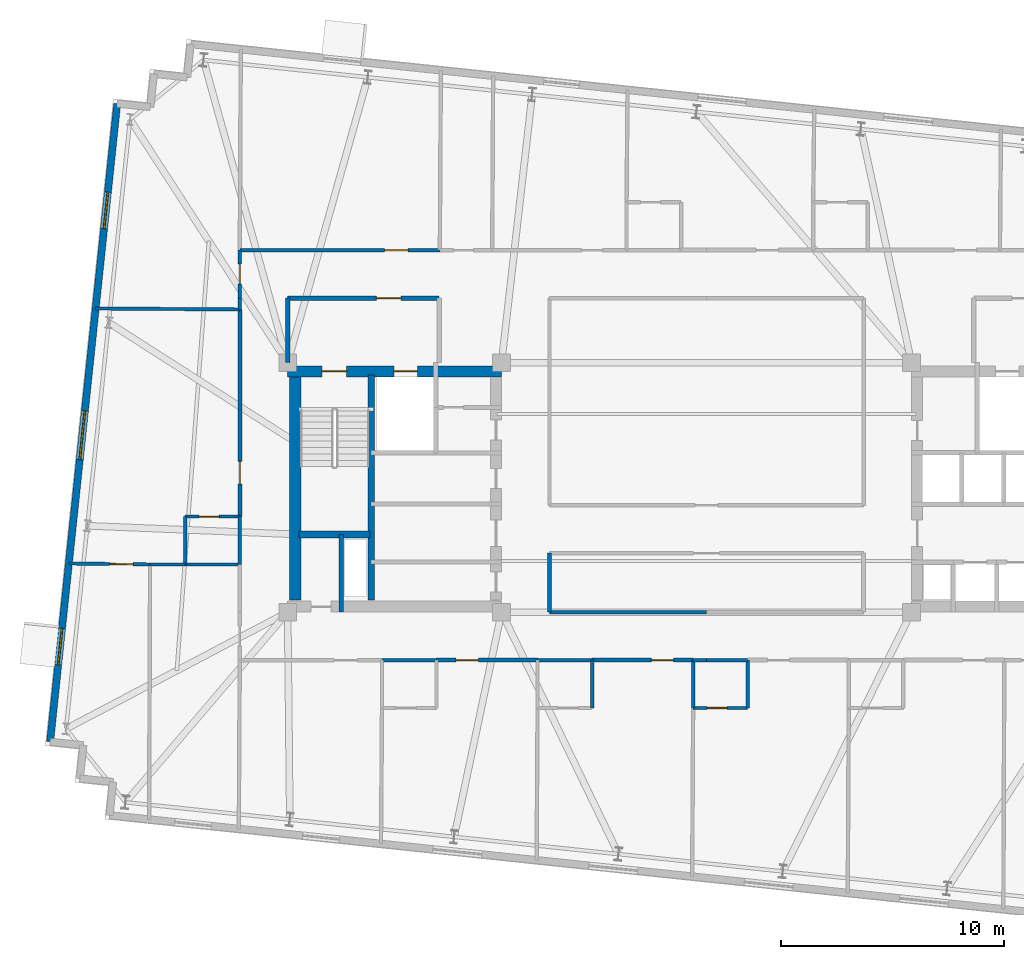
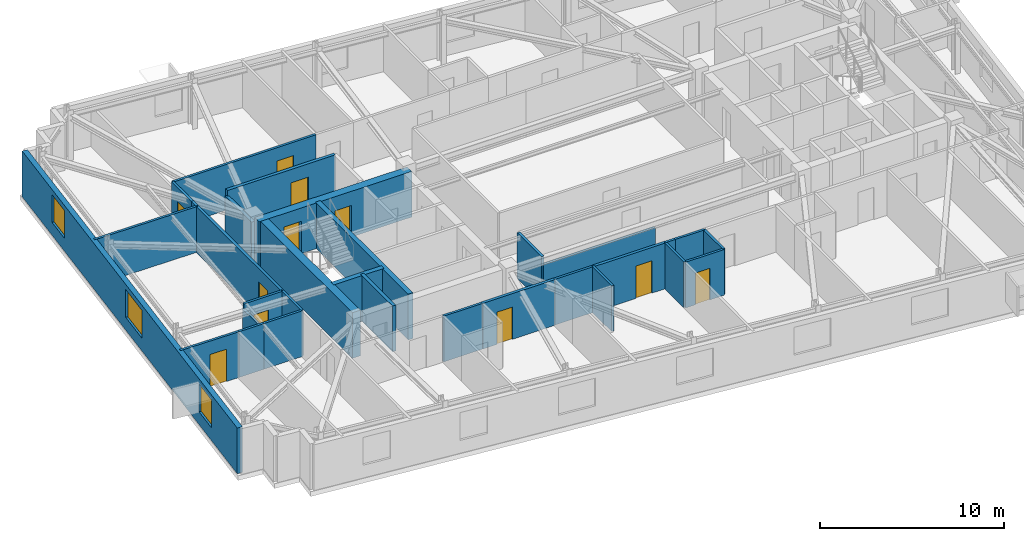
# One storey, part 6 of 11: 31 walls, 11 doors, 3 windows, 14 openings.
"""IFC4 building model written with IfcOpenShell, lengths in metres."""

from ifc_helpers import new_model, si_unit, direction, frame, frame_2d, origin, place, context, subcontext, project, spatial, rectangle, extrude, material, layer, layer_set, type_object, element, fill, save


model = new_model("IFC4")

# Units and contexts
model_context = context("Model", 3, precision=1e-05, world=origin(), true_north=direction((0.0, 1.0)))
body_context = subcontext(model_context, "Body", "Model", "MODEL_VIEW")
ifc_project = project(units=[si_unit("LENGTHUNIT", "METRE"), si_unit("AREAUNIT", "SQUARE_METRE"), si_unit("VOLUMEUNIT", "CUBIC_METRE"), si_unit("PLANEANGLEUNIT", "RADIAN"), si_unit("MASSUNIT", "GRAM", prefix="KILO")], contexts=[model_context])

# Site, building, storey
site_placement = place(None, origin())
site = spatial("IfcSite", under=ifc_project, at=site_placement, CompositionType="ELEMENT")
building_placement = place(site_placement, origin())
building = spatial("IfcBuilding", under=site, at=building_placement, Name="Qobustan Lattice House", CompositionType="ELEMENT")
storey_placement = place(building_placement, frame((0.0, 0.0, 209.800048828125)))
storey = spatial("IfcBuildingStorey", under=building, at=storey_placement, Name="L59", CompositionType="ELEMENT", Elevation=209.800048828125)

# Wall, openings, doors
ifc_material_1 = material(Name="Concrete C50/60", Category="concrete")
ifc_layer_1 = layer(ifc_material_1, 0.5)
ifc_layer_set_1 = layer_set([ifc_layer_1], Name="Concrete C50/60")
wall_type_1 = type_object("IfcWallType", Name="WAL-CORE-500", PredefinedType="SHEAR", material=ifc_layer_set_1)
wall_1_placement = place(storey_placement, frame((-18.800048828125, 5.2099609375, 0.0), z_axis=(0.0, 0.0, 1.0), x_axis=(1.0, 0.0, 0.0)))
wall_1 = element("IfcWall", 1, at=wall_1_placement, inside=storey, type_object=wall_type_1, Name="L59 split-core shear wall CW-N", PredefinedType="SHEAR", context=body_context, shape_type="SweptSolid", body=[
    extrude(rectangle(XDim=9.60009765625, YDim=0.5, at=frame_2d((4.800048828125, 0.0))), origin(), (0.0, 0.0, 1.0), 3.0400390625),
])
opening_1_placement = place(wall_1_placement, frame((1.550048828125, 0.0, 0.0)))
opening_1 = element("IfcOpeningElement", 2, at=opening_1_placement, cuts=wall_1, Name="Opening SD-01", PredefinedType="OPENING", context=body_context, shape_type="SweptSolid", body=[
    extrude(rectangle(XDim=1.10009765625, YDim=2.14990234375, at=frame_2d((0.550048828125, 1.074951171875))), frame((0.0, 0.260009765625, 0.0), z_axis=(0.0, -1.0, 0.0), x_axis=(1.0, 0.0, 0.0)), (0.0, 0.0, 1.0), 0.52001953125),
])
opening_2_placement = place(wall_1_placement, frame((4.77490234375, 0.0, 0.0)))
opening_2 = element("IfcOpeningElement", 3, at=opening_2_placement, cuts=wall_1, Name="Opening LD-01", PredefinedType="OPENING", context=body_context, shape_type="SweptSolid", body=[
    extrude(rectangle(XDim=1.050048828125, YDim=2.10009765625, at=frame_2d((0.52490234375, 1.050048828125))), frame((0.0, 0.260009765625, 0.0), z_axis=(0.0, -1.0, 0.0), x_axis=(1.0, 0.0, 0.0)), (0.0, 0.0, 1.0), 0.52001953125),
])
ifc_material_2 = material(Name="Persian walnut timber and steel frame door", Category="steel")
door_type_1 = type_object("IfcDoorType", Name="DOR-LIFT-LD-1050x2100", OperationType="NOTDEFINED", PredefinedType="DOOR", material=ifc_material_2)
door_1_placement = place(opening_2_placement, origin())
door_1 = element("IfcDoor", 4, at=door_1_placement, inside=storey, type_object=door_type_1, Name="L59 firefighting lift FF-W landing door", OperationType="DOUBLE_DOOR_SLIDING", OverallHeight=2.10009765625, OverallWidth=1.050048828125, PredefinedType="DOOR", context=body_context, shape_type="SweptSolid", body=[
    extrude(rectangle(XDim=1.050048828125, YDim=2.10009765625, at=frame_2d((0.52490234375, 1.050048828125))), frame((0.0, 0.02490234375, 0.0), z_axis=(0.0, -1.0, 0.0), x_axis=(1.0, 0.0, 0.0)), (0.0, 0.0, 1.0), 0.050048828125),
])
fill(opening_2, door_1)
ifc_material_3 = material(Name="Persian walnut timber and steel frame door", Category="steel")
door_type_2 = type_object("IfcDoorType", Name="DOR-STAIR-FD-1100x2150", OperationType="NOTDEFINED", PredefinedType="DOOR", material=ifc_material_3)
door_2_placement = place(opening_1_placement, origin())
door_2 = element("IfcDoor", 5, at=door_2_placement, inside=storey, type_object=door_type_2, Name="L59 exit stair ST-W1 fire door", OperationType="SINGLE_SWING_RIGHT", OverallHeight=2.14990234375, OverallWidth=1.10009765625, PredefinedType="DOOR", context=body_context, shape_type="SweptSolid", body=[
    extrude(rectangle(XDim=1.10009765625, YDim=2.14990234375, at=frame_2d((0.550048828125, 1.074951171875))), frame((0.0, 0.02490234375, 0.0), z_axis=(0.0, -1.0, 0.0), x_axis=(1.0, 0.0, 0.0)), (0.0, 0.0, 1.0), 0.050048828125),
])
fill(opening_1, door_2)

# Walls
wall_2_placement = place(storey_placement, frame((-18.4599609375, -5.050048828125, 0.0), z_axis=(0.0, 0.0, 1.0), x_axis=(0.0, 1.0, 0.0)))
element("IfcWall", 6, at=wall_2_placement, inside=storey, type_object=wall_type_1, Name="L59 split-core shear wall CW-W", PredefinedType="SHEAR", context=body_context, shape_type="SweptSolid", body=[
    extrude(rectangle(XDim=10.10009765625, YDim=0.5, at=frame_2d((5.050048828125, 0.0))), origin(), (0.0, 0.0, 1.0), 3.0400390625),
])
ifc_material_4 = material(Name="Concrete C50/60", Category="concrete")
ifc_layer_2 = layer(ifc_material_4, 0.280029296875)
ifc_layer_set_2 = layer_set([ifc_layer_2], Name="Concrete C50/60")
wall_type_2 = type_object("IfcWallType", Name="WAL-CORE-SPINE-280", PredefinedType="SHEAR", material=ifc_layer_set_2)
wall_3_placement = place(storey_placement, frame((-15.050048828125, -5.050048828125, 0.0), z_axis=(0.0, 0.0, 1.0), x_axis=(0.0, 1.0, 0.0)))
element("IfcWall", 7, at=wall_3_placement, inside=storey, type_object=wall_type_2, Name="L59 split-core shear wall CW-M", PredefinedType="SHEAR", context=body_context, shape_type="SweptSolid", body=[
    extrude(rectangle(XDim=10.10009765625, YDim=0.300048828125, at=frame_2d((5.050048828125, 0.0))), origin(), (0.0, 0.0, 1.0), 3.0400390625),
])
wall_4_placement = place(storey_placement, frame((-18.280029296875, -2.110107421875, 0.0), z_axis=(0.0, 0.0, 1.0), x_axis=(1.0, 0.0, 0.0)))
element("IfcWall", 8, at=wall_4_placement, inside=storey, type_object=wall_type_2, Name="L59 split-core shear wall CW-ST", PredefinedType="SHEAR", context=body_context, shape_type="SweptSolid", body=[
    extrude(rectangle(XDim=3.179931640625, YDim=0.300048828125, at=frame_2d((1.58984375, 0.0))), origin(), (0.0, 0.0, 1.0), 3.0400390625),
])

# Wall, openings, windows
ifc_material_5 = material(Name="Precast concrete C40/50", Category="concrete")
ifc_layer_3 = layer(ifc_material_5, 0.320068359375)
ifc_layer_set_3 = layer_set([ifc_layer_3], Name="Precast concrete C40/50")
wall_type_3 = type_object("IfcWallType", Name="WAL-EXT-STONE-320", PredefinedType="SOLIDWALL", material=ifc_layer_set_3)
wall_5_placement = place(storey_placement, frame((-29.46337890625, -11.413818359375, 0.0), z_axis=(0.0, 0.0, 1.0), x_axis=(0.104530779244, 0.994521651947, 0.0)))
wall_5 = element("IfcWall", 9, at=wall_5_placement, inside=storey, type_object=wall_type_3, Name="L59 exterior limestone-clad wall 5", PredefinedType="SOLIDWALL", context=body_context, shape_type="SweptSolid", body=[
    extrude(rectangle(XDim=28.800048828125, YDim=0.320068359375, at=frame_2d((14.39990234375, 0.0))), origin(), (0.0, 0.0, 1.0), 3.0400390625),
])
opening_3_placement = place(wall_5_placement, frame((3.466796875, 0.0, 0.85009765625)))
opening_3 = element("IfcOpeningElement", 10, at=opening_3_placement, cuts=wall_5, Name="Opening WN-09", PredefinedType="OPENING", context=body_context, shape_type="SweptSolid", body=[
    extrude(rectangle(XDim=1.64990234375, YDim=1.85009765625, at=frame_2d((0.824951171875, 0.925048828125))), frame((0.0, 0.169921875, 0.0), z_axis=(0.0, -1.0, 0.0), x_axis=(1.0, 0.0, 0.0)), (0.0, 0.0, 1.0), 0.340087890625),
])
opening_4_placement = place(wall_5_placement, frame((12.73828125, 0.0, 0.85009765625)))
opening_4 = element("IfcOpeningElement", 11, at=opening_4_placement, cuts=wall_5, Name="Opening WN-03", PredefinedType="OPENING", context=body_context, shape_type="SweptSolid", body=[
    extrude(rectangle(XDim=2.199951171875, YDim=1.85009765625, at=frame_2d((1.10009765625, 0.925048828125))), frame((0.0, 0.169921875, 0.0), z_axis=(0.0, -1.0, 0.0), x_axis=(1.0, 0.0, 0.0)), (0.0, 0.0, 1.0), 0.340087890625),
])
opening_5_placement = place(wall_5_placement, frame((23.16162109375, 0.0, 0.85009765625)))
opening_5 = element("IfcOpeningElement", 12, at=opening_5_placement, cuts=wall_5, Name="Opening WN-09", PredefinedType="OPENING", context=body_context, shape_type="SweptSolid", body=[
    extrude(rectangle(XDim=1.64990234375, YDim=1.85009765625, at=frame_2d((0.824951171875, 0.925048828125))), frame((0.0, 0.169921875, 0.0), z_axis=(0.0, -1.0, 0.0), x_axis=(1.0, 0.0, 0.0)), (0.0, 0.0, 1.0), 0.340087890625),
])
ifc_material_6 = material(Name="Double-glazed low-E aluminium window", Category="aluminium")
window_type_1 = type_object("IfcWindowType", Name="WIN-STU-1650x1850", PartitioningType="SINGLE_PANEL", PredefinedType="WINDOW", material=ifc_material_6)
window_1_placement = place(opening_3_placement, origin())
window_1 = element("IfcWindow", 13, at=window_1_placement, inside=storey, type_object=window_type_1, Name="L59 Focus study room W1A window", OverallHeight=1.85009765625, OverallWidth=1.64990234375, PartitioningType="SINGLE_PANEL", PredefinedType="WINDOW", context=body_context, shape_type="SweptSolid", body=[
    extrude(rectangle(XDim=1.64990234375, YDim=1.85009765625, at=frame_2d((0.824951171875, 0.925048828125))), frame((0.0, 0.030029296875, 0.0), z_axis=(0.0, -1.0, 0.0), x_axis=(1.0, 0.0, 0.0)), (0.0, 0.0, 1.0), 0.06005859375),
])
fill(opening_3, window_1)
window_2_placement = place(opening_5_placement, origin())
window_2 = element("IfcWindow", 14, at=window_2_placement, inside=storey, type_object=window_type_1, Name="L59 Focus study room W3 window", OverallHeight=1.85009765625, OverallWidth=1.64990234375, PartitioningType="SINGLE_PANEL", PredefinedType="WINDOW", context=body_context, shape_type="SweptSolid", body=[
    extrude(rectangle(XDim=1.64990234375, YDim=1.85009765625, at=frame_2d((0.824951171875, 0.925048828125))), frame((0.0, 0.030029296875, 0.0), z_axis=(0.0, -1.0, 0.0), x_axis=(1.0, 0.0, 0.0)), (0.0, 0.0, 1.0), 0.06005859375),
])
fill(opening_5, window_2)
ifc_material_7 = material(Name="Double-glazed low-E aluminium window", Category="aluminium")
window_type_2 = type_object("IfcWindowType", Name="WIN-WIDE-2200x1850", PartitioningType="SINGLE_PANEL", PredefinedType="WINDOW", material=ifc_material_7)
window_3_placement = place(opening_4_placement, origin())
window_3 = element("IfcWindow", 15, at=window_3_placement, inside=storey, type_object=window_type_2, Name="L59 Kitchenette and studio apartment L59-W2 window", OverallHeight=1.85009765625, OverallWidth=2.199951171875, PartitioningType="SINGLE_PANEL", PredefinedType="WINDOW", context=body_context, shape_type="SweptSolid", body=[
    extrude(rectangle(XDim=2.199951171875, YDim=1.85009765625, at=frame_2d((1.10009765625, 0.925048828125))), frame((0.0, 0.030029296875, 0.0), z_axis=(0.0, -1.0, 0.0), x_axis=(1.0, 0.0, 0.0)), (0.0, 0.0, 1.0), 0.06005859375),
])
fill(opening_4, window_3)

# Wall, opening, door
ifc_material_8 = material(Name="Gypsum fireboard acoustic partition", Category="gypsum")
ifc_layer_4 = layer(ifc_material_8, 0.179931640625)
ifc_layer_set_4 = layer_set([ifc_layer_4], Name="Gypsum fireboard acoustic partition")
wall_type_4 = type_object("IfcWallType", Name="WAL-FIRE-180", PredefinedType="PARTITIONING", material=ifc_layer_set_4)
wall_6_placement = place(storey_placement, frame((-7.5830078125, -7.75, 0.0), z_axis=(0.0, 0.0, 1.0), x_axis=(-1.0, 0.0, 0.0)))
wall_6 = element("IfcWall", 16, at=wall_6_placement, inside=storey, type_object=wall_type_4, Name="L59 interior partition 47", PredefinedType="PARTITIONING", context=body_context, shape_type="SweptSolid", body=[
    extrude(rectangle(XDim=4.533935546875, YDim=0.179931640625, at=frame_2d((2.26708984375, 0.0))), origin(), (0.0, 0.0, 1.0), 3.0400390625),
])
opening_6_placement = place(wall_6_placement, frame((2.6572265625, 0.0, 0.0)))
opening_6 = element("IfcOpeningElement", 17, at=opening_6_placement, cuts=wall_6, Name="Opening FD-02", PredefinedType="OPENING", context=body_context, shape_type="SweptSolid", body=[
    extrude(rectangle(XDim=1.0, YDim=2.14990234375, at=frame_2d((0.5, 1.074951171875))), frame((0.0, 0.099853515625, 0.0), z_axis=(0.0, -1.0, 0.0), x_axis=(1.0, 0.0, 0.0)), (0.0, 0.0, 1.0), 0.199951171875),
])
ifc_material_9 = material(Name="Persian walnut timber and steel frame door", Category="steel")
door_type_3 = type_object("IfcDoorType", Name="DOR-UNIT-FD-1000x2150", OperationType="NOTDEFINED", PredefinedType="DOOR", material=ifc_material_9)
door_3_placement = place(opening_6_placement, origin())
door_3 = element("IfcDoor", 18, at=door_3_placement, inside=storey, type_object=door_type_3, Name="L59 South-west floor corridor to Kitchenette and studio apartment L59-S2 door", OperationType="SINGLE_SWING_RIGHT", OverallHeight=2.14990234375, OverallWidth=1.0, PredefinedType="DOOR", context=body_context, shape_type="SweptSolid", body=[
    extrude(rectangle(XDim=1.0, YDim=2.14990234375, at=frame_2d((0.5, 1.074951171875))), frame((0.0, 0.02490234375, 0.0), z_axis=(0.0, -1.0, 0.0), x_axis=(1.0, 0.0, 0.0)), (0.0, 0.0, 1.0), 0.050048828125),
])
fill(opening_6, door_3)

wall_7_placement = place(storey_placement, frame((-0.60009765625, -7.75, 0.0), z_axis=(0.0, 0.0, 1.0), x_axis=(-1.0, 0.0, 0.0)))
wall_7 = element("IfcWall", 19, at=wall_7_placement, inside=storey, type_object=wall_type_4, Name="L59 interior partition 49", PredefinedType="PARTITIONING", context=body_context, shape_type="SweptSolid", body=[
    extrude(rectangle(XDim=4.532958984375, YDim=0.179931640625, at=frame_2d((2.2666015625, 0.0))), origin(), (0.0, 0.0, 1.0), 3.0400390625),
])
opening_7_placement = place(wall_7_placement, frame((0.876708984375, 0.0, 0.0)))
opening_7 = element("IfcOpeningElement", 20, at=opening_7_placement, cuts=wall_7, Name="Opening FD-02", PredefinedType="OPENING", context=body_context, shape_type="SweptSolid", body=[
    extrude(rectangle(XDim=1.0, YDim=2.14990234375, at=frame_2d((0.5, 1.074951171875))), frame((0.0, 0.099853515625, 0.0), z_axis=(0.0, -1.0, 0.0), x_axis=(1.0, 0.0, 0.0)), (0.0, 0.0, 1.0), 0.199951171875),
])
door_4_placement = place(opening_7_placement, origin())
door_4 = element("IfcDoor", 21, at=door_4_placement, inside=storey, type_object=door_type_3, Name="L59 South-west floor corridor to Kitchenette and studio apartment L59-S3 door", OperationType="SINGLE_SWING_LEFT", OverallHeight=2.14990234375, OverallWidth=1.0, PredefinedType="DOOR", context=body_context, shape_type="SweptSolid", body=[
    extrude(rectangle(XDim=1.0, YDim=2.14990234375, at=frame_2d((0.5, 1.074951171875))), frame((0.0, 0.02490234375, 0.0), z_axis=(0.0, -1.0, 0.0), x_axis=(1.0, 0.0, 0.0)), (0.0, 0.0, 1.0), 0.050048828125),
])
fill(opening_7, door_4)

wall_8_placement = place(storey_placement, frame((-20.949951171875, -1.305908203125, 0.0), z_axis=(0.0, 0.0, 1.0), x_axis=(0.0, 1.0, 0.0)))
wall_8 = element("IfcWall", 22, at=wall_8_placement, inside=storey, type_object=wall_type_4, Name="L59 interior partition 62", PredefinedType="PARTITIONING", context=body_context, shape_type="SweptSolid", body=[
    extrude(rectangle(XDim=9.2958984375, YDim=0.179931640625, at=frame_2d((4.64794921875, 0.0))), origin(), (0.0, 0.0, 1.0), 3.0400390625),
])
opening_8_placement = place(wall_8_placement, frame((1.471923828125, 0.0, 0.0)))
opening_8 = element("IfcOpeningElement", 23, at=opening_8_placement, cuts=wall_8, Name="Opening FD-02", PredefinedType="OPENING", context=body_context, shape_type="SweptSolid", body=[
    extrude(rectangle(XDim=1.0, YDim=2.14990234375, at=frame_2d((0.5, 1.074951171875))), frame((0.0, 0.099853515625, 0.0), z_axis=(0.0, -1.0, 0.0), x_axis=(1.0, 0.0, 0.0)), (0.0, 0.0, 1.0), 0.199951171875),
])
door_5_placement = place(opening_8_placement, origin())
door_5 = element("IfcDoor", 24, at=door_5_placement, inside=storey, type_object=door_type_3, Name="L59 West wing spine gallery to Kitchenette and studio apartment L59-W2 door", OperationType="SINGLE_SWING_LEFT", OverallHeight=2.14990234375, OverallWidth=1.0, PredefinedType="DOOR", context=body_context, shape_type="SweptSolid", body=[
    extrude(rectangle(XDim=1.0, YDim=2.14990234375, at=frame_2d((0.5, 1.074951171875))), frame((0.0, 0.02490234375, 0.0), z_axis=(0.0, -1.0, 0.0), x_axis=(1.0, 0.0, 0.0)), (0.0, 0.0, 1.0), 0.050048828125),
])
fill(opening_8, door_5)

ifc_material_10 = material(Name="Acoustic twin-stud gypsum partition", Category="gypsum")
ifc_layer_5 = layer(ifc_material_10, 0.14990234375)
ifc_layer_set_5 = layer_set([ifc_layer_5], Name="Acoustic twin-stud gypsum partition")
wall_type_5 = type_object("IfcWallType", Name="WAL-PART-150", PredefinedType="PARTITIONING", material=ifc_layer_set_5)
wall_9_placement = place(storey_placement, frame((-20.949951171875, 8.5, 0.0), z_axis=(0.0, 0.0, 1.0), x_axis=(0.0, 1.0, 0.0)))
wall_9 = element("IfcWall", 25, at=wall_9_placement, inside=storey, type_object=wall_type_5, Name="L59 interior partition 32", PredefinedType="PARTITIONING", context=body_context, shape_type="SweptSolid", body=[
    extrude(rectangle(XDim=2.14990234375, YDim=0.14990234375, at=frame_2d((1.074951171875, 0.0))), origin(), (0.0, 0.0, 1.0), 3.0400390625),
])
opening_9_placement = place(wall_9_placement, frame((0.625, 0.0, 0.0)))
opening_9 = element("IfcOpeningElement", 26, at=opening_9_placement, cuts=wall_9, Name="Opening WD-01", PredefinedType="OPENING", context=body_context, shape_type="SweptSolid", body=[
    extrude(rectangle(XDim=0.89990234375, YDim=2.10009765625, at=frame_2d((0.449951171875, 1.050048828125))), frame((0.0, 0.0849609375, 0.0), z_axis=(0.0, -1.0, 0.0), x_axis=(1.0, 0.0, 0.0)), (0.0, 0.0, 1.0), 0.169921875),
])
ifc_material_11 = material(Name="Persian walnut timber and steel frame door", Category="steel")
door_type_4 = type_object("IfcDoorType", Name="DOR-WET-900x2100", OperationType="NOTDEFINED", PredefinedType="DOOR", material=ifc_material_11)
door_6_placement = place(opening_9_placement, origin())
door_6 = element("IfcDoor", 27, at=door_6_placement, inside=storey, type_object=door_type_4, Name="L59 North-west floor corridor to Focus study room W3 door", OperationType="SINGLE_SWING_LEFT", OverallHeight=2.10009765625, OverallWidth=0.89990234375, PredefinedType="DOOR", context=body_context, shape_type="SweptSolid", body=[
    extrude(rectangle(XDim=0.89990234375, YDim=2.10009765625, at=frame_2d((0.449951171875, 1.050048828125))), frame((0.0, 0.02490234375, 0.0), z_axis=(0.0, -1.0, 0.0), x_axis=(1.0, 0.0, 0.0)), (0.0, 0.0, 1.0), 0.050048828125),
])
fill(opening_9, door_6)

wall_10_placement = place(storey_placement, frame((-20.949951171875, 10.64990234375, 0.0), z_axis=(0.0, 0.0, 1.0), x_axis=(1.0, 0.0, 0.0)))
wall_10 = element("IfcWall", 28, at=wall_10_placement, inside=storey, type_object=wall_type_5, Name="L59 interior partition 33", PredefinedType="PARTITIONING", context=body_context, shape_type="SweptSolid", body=[
    extrude(rectangle(XDim=8.97998046875, YDim=0.14990234375, at=frame_2d((4.489990234375, 0.0))), origin(), (0.0, 0.0, 1.0), 3.0400390625),
])
opening_10_placement = place(wall_10_placement, frame((6.503662109375, 0.0, 0.0)))
opening_10 = element("IfcOpeningElement", 29, at=opening_10_placement, cuts=wall_10, Name="Opening ID-02", PredefinedType="OPENING", context=body_context, shape_type="SweptSolid", body=[
    extrude(rectangle(XDim=1.050048828125, YDim=2.14990234375, at=frame_2d((0.52490234375, 1.074951171875))), frame((0.0, 0.0849609375, 0.0), z_axis=(0.0, -1.0, 0.0), x_axis=(1.0, 0.0, 0.0)), (0.0, 0.0, 1.0), 0.169921875),
])
ifc_material_12 = material(Name="Persian walnut timber and steel frame door", Category="steel")
door_type_5 = type_object("IfcDoorType", Name="DOR-STUDY-1050x2150", OperationType="NOTDEFINED", PredefinedType="DOOR", material=ifc_material_12)
door_7_placement = place(opening_10_placement, origin())
door_7 = element("IfcDoor", 30, at=door_7_placement, inside=storey, type_object=door_type_5, Name="L59 North-west floor corridor to Focus study room N1 door", OperationType="SINGLE_SWING_RIGHT", OverallHeight=2.14990234375, OverallWidth=1.050048828125, PredefinedType="DOOR", context=body_context, shape_type="SweptSolid", body=[
    extrude(rectangle(XDim=1.050048828125, YDim=2.14990234375, at=frame_2d((0.52490234375, 1.074951171875))), frame((0.0, 0.02490234375, 0.0), z_axis=(0.0, -1.0, 0.0), x_axis=(1.0, 0.0, 0.0)), (0.0, 0.0, 1.0), 0.050048828125),
])
fill(opening_10, door_7)

# Wall
wall_11_placement = place(storey_placement, frame((-20.949951171875, 7.989990234375, 0.0), z_axis=(0.0, 0.0, 1.0), x_axis=(0.0, 1.0, 0.0)))
element("IfcWall", 31, at=wall_11_placement, inside=storey, type_object=wall_type_5, Name="L59 interior partition 64", PredefinedType="PARTITIONING", context=body_context, shape_type="SweptSolid", body=[
    extrude(rectangle(XDim=0.510009765625, YDim=0.14990234375, at=frame_2d((0.2548828125, 0.0))), origin(), (0.0, 0.0, 1.0), 3.0400390625),
])

# Wall, opening, door
wall_12_placement = place(storey_placement, frame((-28.622314453125, -3.412109375, 0.0), z_axis=(0.0, 0.0, 1.0), x_axis=(0.999927389555, -0.01205054433, 0.0)))
wall_12 = element("IfcWall", 32, at=wall_12_placement, inside=storey, type_object=wall_type_5, Name="L59 interior partition 74", PredefinedType="PARTITIONING", context=body_context, shape_type="SweptSolid", body=[
    extrude(rectangle(XDim=3.646728515625, YDim=0.14990234375, at=frame_2d((1.8232421875, 0.0))), origin(), (0.0, 0.0, 1.0), 3.0400390625),
])
opening_11_placement = place(wall_12_placement, frame((1.837158203125, 0.0, 0.0)))
opening_11 = element("IfcOpeningElement", 33, at=opening_11_placement, cuts=wall_12, Name="Opening ID-02", PredefinedType="OPENING", context=body_context, shape_type="SweptSolid", body=[
    extrude(rectangle(XDim=1.050048828125, YDim=2.14990234375, at=frame_2d((0.52490234375, 1.074951171875))), frame((0.0, 0.0849609375, 0.0), z_axis=(0.0, -1.0, 0.0), x_axis=(1.0, 0.0, 0.0)), (0.0, 0.0, 1.0), 0.169921875),
])
door_8_placement = place(opening_11_placement, origin())
door_8 = element("IfcDoor", 34, at=door_8_placement, inside=storey, type_object=door_type_5, Name="L59 Focus study room W1A to Kitchenette and studio apartment L59-W2 door", OperationType="SINGLE_SWING_RIGHT", OverallHeight=2.14990234375, OverallWidth=1.050048828125, PredefinedType="DOOR", context=body_context, shape_type="SweptSolid", body=[
    extrude(rectangle(XDim=1.050048828125, YDim=2.14990234375, at=frame_2d((0.52490234375, 1.074951171875))), frame((0.0, 0.02490234375, 0.0), z_axis=(0.0, -1.0, 0.0), x_axis=(1.0, 0.0, 0.0)), (0.0, 0.0, 1.0), 0.050048828125),
])
fill(opening_11, door_8)

# Walls
wall_13_placement = place(storey_placement, frame((-24.975830078125, -3.4560546875, 0.0), z_axis=(0.0, 0.0, 1.0), x_axis=(1.0, 0.0, 0.0)))
element("IfcWall", 35, at=wall_13_placement, inside=storey, type_object=wall_type_5, Name="L59 interior partition 75", PredefinedType="PARTITIONING", context=body_context, shape_type="SweptSolid", body=[
    extrude(rectangle(XDim=1.575927734375, YDim=0.14990234375, at=frame_2d((0.7880859375, 0.0))), origin(), (0.0, 0.0, 1.0), 3.0400390625),
])
wall_14_placement = place(storey_placement, frame((-27.419189453125, 8.033935546875, 0.0), z_axis=(0.0, 0.0, 1.0), x_axis=(0.999976928608, -0.006792808784, 0.0)))
element("IfcWall", 36, at=wall_14_placement, inside=storey, type_object=wall_type_5, Name="L59 interior partition 80", PredefinedType="PARTITIONING", context=body_context, shape_type="SweptSolid", body=[
    extrude(rectangle(XDim=6.469482421875, YDim=0.14990234375, at=frame_2d((3.23486328125, 0.0))), origin(), (0.0, 0.0, 1.0), 3.0400390625),
])
ifc_material_13 = material(Name="High-mass acoustic twin-stud partition", Category="gypsum")
ifc_layer_6 = layer(ifc_material_13, 0.1650390625)
ifc_layer_set_6 = layer_set([ifc_layer_6], Name="High-mass acoustic twin-stud partition")
wall_type_6 = type_object("IfcWallType", Name="WAL-PART-165", PredefinedType="PARTITIONING", material=ifc_layer_set_6)
wall_15_placement = place(storey_placement, frame((-7.050048828125, -5.60009765625, 0.0), z_axis=(0.0, 0.0, 1.0), x_axis=(1.0, 0.0, 0.0)))
element("IfcWall", 37, at=wall_15_placement, inside=storey, type_object=wall_type_6, Name="L59 interior partition 52", PredefinedType="PARTITIONING", context=body_context, shape_type="SweptSolid", body=[
    extrude(rectangle(XDim=7.050048828125, YDim=0.1650390625, at=frame_2d((3.52490234375, 0.0))), origin(), (0.0, 0.0, 1.0), 2.52490234375),
])
wall_16_placement = place(storey_placement, frame((-7.050048828125, -2.949951171875, 0.0), z_axis=(0.0, 0.0, 1.0), x_axis=(0.0, -1.0, 0.0)))
element("IfcWall", 38, at=wall_16_placement, inside=storey, type_object=wall_type_6, Name="L59 interior partition 70", PredefinedType="PARTITIONING", context=body_context, shape_type="SweptSolid", body=[
    extrude(rectangle(XDim=2.650146484375, YDim=0.1650390625, at=frame_2d((1.3251953125, 0.0))), origin(), (0.0, 0.0, 1.0), 3.0400390625),
])

# Wall, opening, door
ifc_material_14 = material(Name="Two-hour gypsum fireboard acoustic partition", Category="gypsum")
ifc_layer_7 = layer(ifc_material_14, 0.199951171875)
ifc_layer_set_7 = layer_set([ifc_layer_7], Name="Two-hour gypsum fireboard acoustic partition")
wall_type_7 = type_object("IfcWallType", Name="WAL-PROT-200", PredefinedType="PARTITIONING", material=ifc_layer_set_7)
wall_17_placement = place(storey_placement, frame((-12.0, 8.5, 0.0), z_axis=(0.0, 0.0, 1.0), x_axis=(-1.0, 0.0, 0.0)))
wall_17 = element("IfcWall", 39, at=wall_17_placement, inside=storey, type_object=wall_type_7, Name="L59 interior partition 4", PredefinedType="PARTITIONING", context=body_context, shape_type="SweptSolid", body=[
    extrude(rectangle(XDim=6.800048828125, YDim=0.199951171875, at=frame_2d((3.39990234375, 0.0))), origin(), (0.0, 0.0, 1.0), 3.0400390625),
])
opening_12_placement = place(wall_17_placement, frame((1.715087890625, 0.0, 0.0)))
opening_12 = element("IfcOpeningElement", 40, at=opening_12_placement, cuts=wall_17, Name="Opening SD-01", PredefinedType="OPENING", context=body_context, shape_type="SweptSolid", body=[
    extrude(rectangle(XDim=1.10009765625, YDim=2.14990234375, at=frame_2d((0.550048828125, 1.074951171875))), frame((0.0, 0.10986328125, 0.0), z_axis=(0.0, -1.0, 0.0), x_axis=(1.0, 0.0, 0.0)), (0.0, 0.0, 1.0), 0.219970703125),
])
door_9_placement = place(opening_12_placement, origin())
door_9 = element("IfcDoor", 41, at=door_9_placement, inside=storey, type_object=door_type_2, Name="L59 West firefighting lift lobby to North-west floor corridor door", OperationType="SINGLE_SWING_RIGHT", OverallHeight=2.14990234375, OverallWidth=1.10009765625, PredefinedType="DOOR", context=body_context, shape_type="SweptSolid", body=[
    extrude(rectangle(XDim=1.10009765625, YDim=2.14990234375, at=frame_2d((0.550048828125, 1.074951171875))), frame((0.0, 0.02490234375, 0.0), z_axis=(0.0, -1.0, 0.0), x_axis=(1.0, 0.0, 0.0)), (0.0, 0.0, 1.0), 0.050048828125),
])
fill(opening_12, door_9)

# Walls
wall_18_placement = place(storey_placement, frame((-18.800048828125, 8.5, 0.0), z_axis=(0.0, 0.0, 1.0), x_axis=(0.0, -1.0, 0.0)))
element("IfcWall", 42, at=wall_18_placement, inside=storey, type_object=wall_type_7, Name="L59 interior partition 5", PredefinedType="PARTITIONING", context=body_context, shape_type="SweptSolid", body=[
    extrude(rectangle(XDim=2.89990234375, YDim=0.199951171875, at=frame_2d((1.449951171875, 0.0))), origin(), (0.0, 0.0, 1.0), 2.6650390625),
])
ifc_material_15 = material(Name="Concrete C40/50", Category="concrete")
ifc_layer_8 = layer(ifc_material_15, 0.199951171875)
ifc_layer_set_8 = layer_set([ifc_layer_8], Name="Concrete C40/50")
wall_type_8 = type_object("IfcWallType", Name="WAL-SHAFT-200", PredefinedType="PARTITIONING", material=ifc_layer_set_8)
wall_19_placement = place(storey_placement, frame((-16.39990234375, -5.60009765625, 0.0), z_axis=(0.0, 0.0, 1.0), x_axis=(0.0, 1.0, 0.0)))
element("IfcWall", 43, at=wall_19_placement, inside=storey, type_object=wall_type_8, Name="L59 interior partition 1", PredefinedType="PARTITIONING", context=body_context, shape_type="SweptSolid", body=[
    extrude(rectangle(XDim=3.489990234375, YDim=0.199951171875, at=frame_2d((1.7451171875, 0.0))), origin(), (0.0, 0.0, 1.0), 3.0400390625),
])
ifc_material_16 = material(Name="Moisture-resistant acoustic plumbing wall", Category="gypsum")
ifc_layer_9 = layer(ifc_material_16, 0.14990234375)
ifc_layer_set_9 = layer_set([ifc_layer_9], Name="Moisture-resistant acoustic plumbing wall")
wall_type_9 = type_object("IfcWallType", Name="WAL-WET-150", PredefinedType="PLUMBINGWALL", material=ifc_layer_set_9)
for number, where, z_axis, x_axis, name in (
    (44, (-12.116943359375, -7.75, 0.0), (0.0, 0.0, 1.0), (-1.0, 0.0, 0.0), "L59 interior partition 48"),
    (45, (-5.133056640625, -7.75, 0.0), (0.0, 0.0, 1.0), (-1.0, 0.0, 0.0), "L59 interior partition 50"),
):
    element("IfcWall", number, at=place(storey_placement, frame(where, z_axis=z_axis, x_axis=x_axis)), inside=storey, type_object=wall_type_9, Name=name, PredefinedType="PLUMBINGWALL", context=body_context, shape_type="SweptSolid", body=[
        extrude(rectangle(XDim=2.449951171875, YDim=0.14990234375, at=frame_2d((1.22509765625, 0.0))), origin(), (0.0, 0.0, 1.0), 3.0400390625),
    ])
wall_20_placement = place(storey_placement, frame((0.0, -7.75, 0.0), z_axis=(0.0, 0.0, 1.0), x_axis=(-1.0, 0.0, 0.0)))
element("IfcWall", 46, at=wall_20_placement, inside=storey, type_object=wall_type_9, Name="L59 interior partition 51", PredefinedType="PLUMBINGWALL", context=body_context, shape_type="SweptSolid", body=[
    extrude(rectangle(XDim=0.60009765625, YDim=0.14990234375, at=frame_2d((0.300048828125, 0.0))), origin(), (0.0, 0.0, 1.0), 3.0400390625),
])
wall_21_placement = place(storey_placement, frame((1.85009765625, -7.75, 0.0), z_axis=(0.0, 0.0, 1.0), x_axis=(-1.0, 0.0, 0.0)))
element("IfcWall", 47, at=wall_21_placement, inside=storey, type_object=wall_type_9, Name="L59 interior partition 55", PredefinedType="PLUMBINGWALL", context=body_context, shape_type="SweptSolid", body=[
    extrude(rectangle(XDim=1.85009765625, YDim=0.14990234375, at=frame_2d((0.925048828125, 0.0))), origin(), (0.0, 0.0, 1.0), 3.0400390625),
])
wall_22_placement = place(storey_placement, frame((-20.949951171875, -3.4560546875, 0.0), z_axis=(0.0, 0.0, 1.0), x_axis=(0.0, 1.0, 0.0)))
element("IfcWall", 48, at=wall_22_placement, inside=storey, type_object=wall_type_9, Name="L59 interior partition 63", PredefinedType="PLUMBINGWALL", context=body_context, shape_type="SweptSolid", body=[
    extrude(rectangle(XDim=2.150146484375, YDim=0.14990234375, at=frame_2d((1.0751953125, 0.0))), origin(), (0.0, 0.0, 1.0), 3.0400390625),
])
wall_23_placement = place(storey_placement, frame((-23.39990234375, -3.4560546875, 0.0), z_axis=(0.0, 0.0, 1.0), x_axis=(1.0, 0.0, 0.0)))
element("IfcWall", 49, at=wall_23_placement, inside=storey, type_object=wall_type_9, Name="L59 interior partition 76", PredefinedType="PLUMBINGWALL", context=body_context, shape_type="SweptSolid", body=[
    extrude(rectangle(XDim=2.449951171875, YDim=0.14990234375, at=frame_2d((1.22509765625, 0.0))), origin(), (0.0, 0.0, 1.0), 3.0400390625),
])

# Wall, opening, door
wall_24_placement = place(storey_placement, frame((-20.949951171875, -1.305908203125, 0.0), z_axis=(0.0, 0.0, 1.0), x_axis=(-1.0, 0.0, 0.0)))
wall_24 = element("IfcWall", 50, at=wall_24_placement, inside=storey, type_object=wall_type_9, Name="L59 interior partition 78", PredefinedType="PLUMBINGWALL", context=body_context, shape_type="SweptSolid", body=[
    extrude(rectangle(XDim=2.449951171875, YDim=0.14990234375, at=frame_2d((1.22509765625, 0.0))), origin(), (0.0, 0.0, 1.0), 3.0400390625),
])
opening_13_placement = place(wall_24_placement, frame((0.921142578125, 0.0, 0.0)))
opening_13 = element("IfcOpeningElement", 51, at=opening_13_placement, cuts=wall_24, Name="Opening WD-01", PredefinedType="OPENING", context=body_context, shape_type="SweptSolid", body=[
    extrude(rectangle(XDim=0.89990234375, YDim=2.10009765625, at=frame_2d((0.449951171875, 1.050048828125))), frame((0.0, 0.0849609375, 0.0), z_axis=(0.0, -1.0, 0.0), x_axis=(1.0, 0.0, 0.0)), (0.0, 0.0, 1.0), 0.169921875),
])
door_10_placement = place(opening_13_placement, origin())
door_10 = element("IfcDoor", 52, at=door_10_placement, inside=storey, type_object=door_type_4, Name="L59 Kitchenette and studio apartment L59-W2 to En-suite bathroom L59-W2 door", OperationType="SINGLE_SWING_LEFT", OverallHeight=2.10009765625, OverallWidth=0.89990234375, PredefinedType="DOOR", context=body_context, shape_type="SweptSolid", body=[
    extrude(rectangle(XDim=0.89990234375, YDim=2.10009765625, at=frame_2d((0.449951171875, 1.050048828125))), frame((0.0, 0.02490234375, 0.0), z_axis=(0.0, -1.0, 0.0), x_axis=(1.0, 0.0, 0.0)), (0.0, 0.0, 1.0), 0.050048828125),
])
fill(opening_13, door_10)

# Walls
wall_25_placement = place(storey_placement, frame((-23.39990234375, -1.305908203125, 0.0), z_axis=(0.0, 0.0, 1.0), x_axis=(0.0, -1.0, 0.0)))
element("IfcWall", 53, at=wall_25_placement, inside=storey, type_object=wall_type_9, Name="L59 interior partition 79", PredefinedType="PLUMBINGWALL", context=body_context, shape_type="SweptSolid", body=[
    extrude(rectangle(XDim=2.150146484375, YDim=0.14990234375, at=frame_2d((1.0751953125, 0.0))), origin(), (0.0, 0.0, 1.0), 2.695068359375),
])
for number, where, z_axis, x_axis, name in (
    (54, (-5.133056640625, -9.89990234375, 0.0), (0.0, 0.0, 1.0), (0.0, 1.0, 0.0), "L59 interior partition 104"),
    (55, (-0.60009765625, -7.75, 0.0), (0.0, 0.0, 1.0), (0.0, -1.0, 0.0), "L59 interior partition 106"),
):
    element("IfcWall", number, at=place(storey_placement, frame(where, z_axis=z_axis, x_axis=x_axis)), inside=storey, type_object=wall_type_9, Name=name, PredefinedType="PLUMBINGWALL", context=body_context, shape_type="SweptSolid", body=[
        extrude(rectangle(XDim=2.14990234375, YDim=0.14990234375, at=frame_2d((1.074951171875, 0.0))), origin(), (0.0, 0.0, 1.0), 3.0400390625),
    ])

# Wall, opening, door
wall_26_placement = place(storey_placement, frame((-0.60009765625, -9.89990234375, 0.0), z_axis=(0.0, 0.0, 1.0), x_axis=(1.0, 0.0, 0.0)))
wall_26 = element("IfcWall", 56, at=wall_26_placement, inside=storey, type_object=wall_type_9, Name="L59 interior partition 107", PredefinedType="PLUMBINGWALL", context=body_context, shape_type="SweptSolid", body=[
    extrude(rectangle(XDim=2.4501953125, YDim=0.14990234375, at=frame_2d((1.22509765625, 0.0))), origin(), (0.0, 0.0, 1.0), 3.0400390625),
])
opening_14_placement = place(wall_26_placement, frame((0.62890625, 0.0, 0.0)))
opening_14 = element("IfcOpeningElement", 57, at=opening_14_placement, cuts=wall_26, Name="Opening WD-01", PredefinedType="OPENING", context=body_context, shape_type="SweptSolid", body=[
    extrude(rectangle(XDim=0.89990234375, YDim=2.10009765625, at=frame_2d((0.449951171875, 1.050048828125))), frame((0.0, 0.0849609375, 0.0), z_axis=(0.0, -1.0, 0.0), x_axis=(1.0, 0.0, 0.0)), (0.0, 0.0, 1.0), 0.169921875),
])
door_11_placement = place(opening_14_placement, origin())
door_11 = element("IfcDoor", 58, at=door_11_placement, inside=storey, type_object=door_type_4, Name="L59 Kitchenette and studio apartment L59-S4 to En-suite bathroom L59-S4 door", OperationType="SINGLE_SWING_RIGHT", OverallHeight=2.10009765625, OverallWidth=0.89990234375, PredefinedType="DOOR", context=body_context, shape_type="SweptSolid", body=[
    extrude(rectangle(XDim=0.89990234375, YDim=2.10009765625, at=frame_2d((0.449951171875, 1.050048828125))), frame((0.0, 0.02490234375, 0.0), z_axis=(0.0, -1.0, 0.0), x_axis=(1.0, 0.0, 0.0)), (0.0, 0.0, 1.0), 0.050048828125),
])
fill(opening_14, door_11)

# Wall
wall_27_placement = place(storey_placement, frame((1.85009765625, -9.89990234375, 0.0), z_axis=(0.0, 0.0, 1.0), x_axis=(0.0, 1.0, 0.0)))
element("IfcWall", 59, at=wall_27_placement, inside=storey, type_object=wall_type_9, Name="L59 interior partition 108", PredefinedType="PLUMBINGWALL", context=body_context, shape_type="SweptSolid", body=[
    extrude(rectangle(XDim=2.14990234375, YDim=0.14990234375, at=frame_2d((1.074951171875, 0.0))), origin(), (0.0, 0.0, 1.0), 3.0400390625),
])

save(model, "model.ifc")
